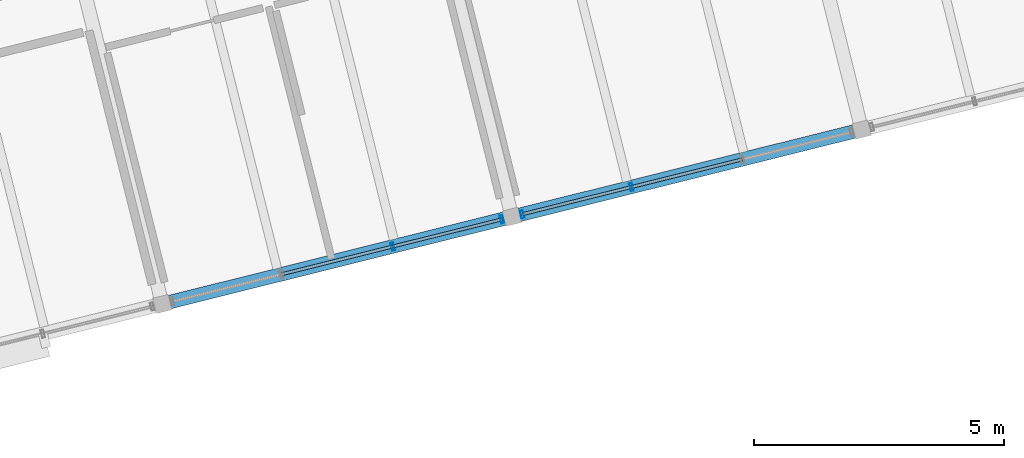
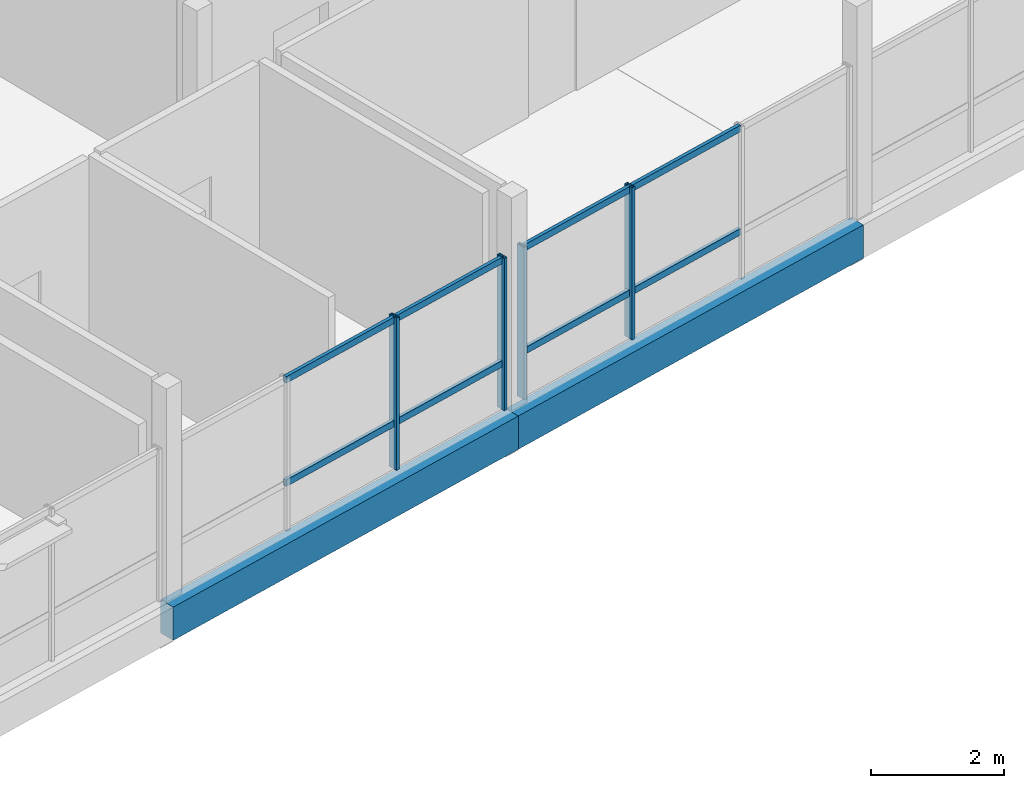
# One storey, part 7 of 25: 12 members, 2 beams, 2 elements without a shape of their own.
"""IFC4 building model written with IfcOpenShell, lengths in metres."""

from ifc_helpers import new_model, si_unit, direction, frame, origin, origin_2d, place, context, subcontext, project, spatial, rectangle, hollow_rectangle, extrude, material, layer, layer_set, material_profile, profile_set, type_object, element, aggregate, save


model = new_model("IFC4")

# Units and contexts
model_context = context("Model", 3, precision=1e-05, world=origin(), true_north=direction((0.0, 1.0)))
body_context = subcontext(model_context, "Body", "Model", "MODEL_VIEW")
ifc_project = project(units=[si_unit("LENGTHUNIT", "METRE"), si_unit("AREAUNIT", "SQUARE_METRE"), si_unit("VOLUMEUNIT", "CUBIC_METRE"), si_unit("PLANEANGLEUNIT", "RADIAN"), si_unit("MASSUNIT", "GRAM", prefix="KILO")], contexts=[model_context])

# Site, building, storey
site_placement = place(None, origin())
site = spatial("IfcSite", under=ifc_project, at=site_placement, CompositionType="ELEMENT")
building_placement = place(site_placement, origin())
building = spatial("IfcBuilding", under=site, at=building_placement, Name="Meriwether Solvik Hall", CompositionType="ELEMENT")
storey_placement = place(building_placement, frame((0.0, 0.0, 49.5)))
storey = spatial("IfcBuildingStorey", under=building, at=storey_placement, Name="L12", CompositionType="ELEMENT", Elevation=49.5)

# Beams
ifc_material_1 = material(Name="Glulam Douglas-Fir 24F-V8 GL28h", Category="wood")
ifc_material_profile_1 = material_profile(ifc_material_1, rectangle(XDim=0.27294921875, YDim=0.610107421875, at=origin_2d()), Name="GLB-273X610")
ifc_profile_set_1 = profile_set([ifc_material_profile_1], Name="Glulam Douglas-Fir 24F-V8 GL28h")
beam_type = type_object("IfcBeamType", Name="BM-GL-273X610", PredefinedType="SPANDREL", material=ifc_profile_set_1)
for number, where, z_axis, x_axis, name in (
    (1, (82.96044921875, 44.780517578125, -0.485107421875), (0.970299871507, 0.241905269381, 0.0), (-0.241905269381, 0.970299871507, 0.0), "Tower Girder TA:T3-T4 (L12)"),
    (2, (89.946533203125, 46.522216796875, -0.485107421875), (0.970291911955, 0.241937193493, 0.0), (-0.241937193493, 0.970291911955, 0.0), "Tower Girder TA:T4-T5 (L12)"),
):
    element("IfcBeam", number, at=place(storey_placement, frame(where, z_axis=z_axis, x_axis=x_axis)), inside=storey, type_object=beam_type, Name=name, PredefinedType="SPANDREL", context=body_context, shape_type="SweptSolid", body=[
        extrude(rectangle(XDim=0.27294921875, YDim=0.610107421875, at=origin_2d()), origin(), (0.0, 0.0, 1.0), 7.199951171875),
    ])

# Curtain wall, members
ifc_material_2 = material(Name="Thermally Broken Anodised Aluminium 6063-T6 and Low-E Glass", Category="aluminium")
ifc_layer_1 = layer(ifc_material_2, 0.179931640625)
ifc_layer_set_1 = layer_set([ifc_layer_1], Name="Thermally Broken Anodised Aluminium 6063-T6 and Low-E Glass")
curtain_wall_type_1 = type_object("IfcCurtainWallType", Name="CW-UNIT-E", PredefinedType="USERDEFINED", material=ifc_layer_set_1)
curtain_wall_1_placement = place(storey_placement, origin())
curtain_wall_1 = element("IfcCurtainWall", 3, at=curtain_wall_1_placement, inside=storey, type_object=curtain_wall_type_1, Name="Curtain Wall E0_B2 (L12)", ObjectType="UNITISED CURTAIN WALL", PredefinedType="USERDEFINED")
ifc_material_3 = material(Name="Anodised Aluminium 6063-T6", Category="aluminium")
ifc_material_profile_2 = material_profile(ifc_material_3, hollow_rectangle(XDim=0.06005859375, YDim=0.159912109375, WallThickness=0.00390625, at=origin_2d()), Name="CWM-60X160")
ifc_profile_set_2 = profile_set([ifc_material_profile_2], Name="Anodised Aluminium 6063-T6")
member_type_1 = type_object("IfcMemberType", Name="CW-MUL-60X160", PredefinedType="MULLION", material=ifc_profile_set_2)
member_1_placement = place(storey_placement, frame((89.7451171875, 46.47216796875, 0.0), z_axis=(0.0, 0.0, 1.0), x_axis=(-0.970295730764, -0.241921877598, 0.0)))
member_1 = element("IfcMember", 4, at=member_1_placement, type_object=member_type_1, Name="Curtain Wall Mullion 1", PredefinedType="MULLION", context=body_context, shape_type="SweptSolid", body=[
    extrude(hollow_rectangle(XDim=0.06005859375, YDim=0.159912109375, WallThickness=0.00390625, at=origin_2d()), origin(), (0.0, 0.0, 1.0), 2.7900390625),
])
member_2_placement = place(storey_placement, frame((87.56298828125, 45.927978515625, 0.0), z_axis=(0.0, 0.0, 1.0), x_axis=(-0.970295730764, -0.241921877598, 0.0)))
member_2 = element("IfcMember", 5, at=member_2_placement, type_object=member_type_1, Name="Curtain Wall Mullion 2", PredefinedType="MULLION", context=body_context, shape_type="SweptSolid", body=[
    extrude(hollow_rectangle(XDim=0.06005859375, YDim=0.159912109375, WallThickness=0.00390625, at=origin_2d()), origin(), (0.0, 0.0, 1.0), 2.7900390625),
])

ifc_material_4 = material(Name="Thermally Broken Anodised Aluminium 6063-T6 and Low-E Glass", Category="aluminium")
ifc_layer_2 = layer(ifc_material_4, 0.179931640625)
ifc_layer_set_2 = layer_set([ifc_layer_2], Name="Thermally Broken Anodised Aluminium 6063-T6 and Low-E Glass")
curtain_wall_type_2 = type_object("IfcCurtainWallType", Name="CW-UNIT-F", PredefinedType="USERDEFINED", material=ifc_layer_set_2)
curtain_wall_2_placement = place(storey_placement, origin())
curtain_wall_2 = element("IfcCurtainWall", 6, at=curtain_wall_2_placement, inside=storey, type_object=curtain_wall_type_2, Name="Curtain Wall E0_B3 (L12)", ObjectType="UNITISED CURTAIN WALL", PredefinedType="USERDEFINED")
member_3_placement = place(storey_placement, frame((92.330078125, 47.116455078125, 0.0), z_axis=(0.0, 0.0, 1.0), x_axis=(-0.970295696551, -0.241922014821, 0.0)))
member_3 = element("IfcMember", 7, at=member_3_placement, type_object=member_type_1, Name="Curtain Wall Mullion 3", PredefinedType="MULLION", context=body_context, shape_type="SweptSolid", body=[
    extrude(hollow_rectangle(XDim=0.06005859375, YDim=0.159912109375, WallThickness=0.00390625, at=origin_2d()), origin(), (0.0, 0.0, 1.0), 2.7900390625),
])
member_4_placement = place(storey_placement, frame((90.14794921875, 46.572509765625, 0.0), z_axis=(0.0, 0.0, 1.0), x_axis=(-0.970295696551, -0.241922014821, 0.0)))
member_4 = element("IfcMember", 8, at=member_4_placement, type_object=member_type_1, Name="Curtain Wall Mullion 4", PredefinedType="MULLION", context=body_context, shape_type="SweptSolid", body=[
    extrude(hollow_rectangle(XDim=0.06005859375, YDim=0.159912109375, WallThickness=0.00390625, at=origin_2d()), origin(), (0.0, 0.0, 1.0), 2.7900390625),
])

# Member
ifc_material_5 = material(Name="Anodised Aluminium 6063-T6", Category="aluminium")
ifc_material_profile_3 = material_profile(ifc_material_5, hollow_rectangle(XDim=0.06005859375, YDim=0.1201171875, WallThickness=0.00390625, at=origin_2d()), Name="CWT-60X120")
ifc_profile_set_3 = profile_set([ifc_material_profile_3], Name="Anodised Aluminium 6063-T6")
member_type_2 = type_object("IfcMemberType", Name="CW-TRN-60X120", PredefinedType="USERDEFINED", material=ifc_profile_set_3)
member_5_placement = place(storey_placement, frame((89.7451171875, 46.47216796875, 0.8369140625), z_axis=(-0.970282822978, -0.241973642025, 0.0), x_axis=(0.241973642025, -0.970282822978, 0.0)))
member_5 = element("IfcMember", 9, at=member_5_placement, type_object=member_type_2, Name="Curtain Wall Transom 1-sill", ObjectType="TRANSOM", PredefinedType="USERDEFINED", context=body_context, shape_type="SweptSolid", body=[
    extrude(hollow_rectangle(XDim=0.06005859375, YDim=0.1201171875, WallThickness=0.00390625, at=origin_2d()), origin(), (0.0, 0.0, 1.0), 2.2490234375),
])

member_6_placement = place(storey_placement, frame((89.7451171875, 46.47216796875, 2.72998046875), z_axis=(-0.970282822978, -0.241973642025, 0.0), x_axis=(0.241973642025, -0.970282822978, 0.0)))
member_6 = element("IfcMember", 10, at=member_6_placement, type_object=member_type_2, Name="Curtain Wall Transom 1-head", ObjectType="TRANSOM", PredefinedType="USERDEFINED", context=body_context, shape_type="SweptSolid", body=[
    extrude(hollow_rectangle(XDim=0.06005859375, YDim=0.1201171875, WallThickness=0.00390625, at=origin_2d()), origin(), (0.0, 0.0, 1.0), 2.2490234375),
])

member_7_placement = place(storey_placement, frame((87.56298828125, 45.927978515625, 0.8369140625), z_axis=(-0.97029929005, -0.241907601634, 0.0), x_axis=(0.241907601634, -0.97029929005, 0.0)))
member_7 = element("IfcMember", 11, at=member_7_placement, type_object=member_type_2, Name="Curtain Wall Transom 2-sill", ObjectType="TRANSOM", PredefinedType="USERDEFINED", context=body_context, shape_type="SweptSolid", body=[
    extrude(hollow_rectangle(XDim=0.06005859375, YDim=0.1201171875, WallThickness=0.00390625, at=origin_2d()), origin(), (0.0, 0.0, 1.0), 2.286865234375),
])

member_8_placement = place(storey_placement, frame((87.56298828125, 45.927978515625, 2.72998046875), z_axis=(-0.97029929005, -0.241907601634, 0.0), x_axis=(0.241907601634, -0.97029929005, 0.0)))
member_8 = element("IfcMember", 12, at=member_8_placement, type_object=member_type_2, Name="Curtain Wall Transom 2-head", ObjectType="TRANSOM", PredefinedType="USERDEFINED", context=body_context, shape_type="SweptSolid", body=[
    extrude(hollow_rectangle(XDim=0.06005859375, YDim=0.1201171875, WallThickness=0.00390625, at=origin_2d()), origin(), (0.0, 0.0, 1.0), 2.286865234375),
])

aggregate(curtain_wall_1, [member_1, member_2, member_5, member_6, member_7, member_8])

member_9_placement = place(storey_placement, frame((94.549072265625, 47.669921875, 0.8369140625), z_axis=(-0.970274227582, -0.242008105834, 0.0), x_axis=(0.242008105834, -0.970274227582, 0.0)))
member_9 = element("IfcMember", 13, at=member_9_placement, type_object=member_type_2, Name="Curtain Wall Transom 2-sill", ObjectType="TRANSOM", PredefinedType="USERDEFINED", context=body_context, shape_type="SweptSolid", body=[
    extrude(hollow_rectangle(XDim=0.06005859375, YDim=0.1201171875, WallThickness=0.00390625, at=origin_2d()), origin(), (0.0, 0.0, 1.0), 2.286865234375),
])

member_10_placement = place(storey_placement, frame((94.549072265625, 47.669921875, 2.72998046875), z_axis=(-0.970274227582, -0.242008105834, 0.0), x_axis=(0.242008105834, -0.970274227582, 0.0)))
member_10 = element("IfcMember", 14, at=member_10_placement, type_object=member_type_2, Name="Curtain Wall Transom 2-head", ObjectType="TRANSOM", PredefinedType="USERDEFINED", context=body_context, shape_type="SweptSolid", body=[
    extrude(hollow_rectangle(XDim=0.06005859375, YDim=0.1201171875, WallThickness=0.00390625, at=origin_2d()), origin(), (0.0, 0.0, 1.0), 2.286865234375),
])

member_11_placement = place(storey_placement, frame((92.330078125, 47.116455078125, 0.8369140625), z_axis=(-0.970308305597, -0.241871437108, 0.0), x_axis=(0.241871437108, -0.970308305597, 0.0)))
member_11 = element("IfcMember", 15, at=member_11_placement, type_object=member_type_2, Name="Curtain Wall Transom 3-sill", ObjectType="TRANSOM", PredefinedType="USERDEFINED", context=body_context, shape_type="SweptSolid", body=[
    extrude(hollow_rectangle(XDim=0.06005859375, YDim=0.1201171875, WallThickness=0.00390625, at=origin_2d()), origin(), (0.0, 0.0, 1.0), 2.2490234375),
])

member_12_placement = place(storey_placement, frame((92.330078125, 47.116455078125, 2.72998046875), z_axis=(-0.970308305597, -0.241871437108, 0.0), x_axis=(0.241871437108, -0.970308305597, 0.0)))
member_12 = element("IfcMember", 16, at=member_12_placement, type_object=member_type_2, Name="Curtain Wall Transom 3-head", ObjectType="TRANSOM", PredefinedType="USERDEFINED", context=body_context, shape_type="SweptSolid", body=[
    extrude(hollow_rectangle(XDim=0.06005859375, YDim=0.1201171875, WallThickness=0.00390625, at=origin_2d()), origin(), (0.0, 0.0, 1.0), 2.2490234375),
])

aggregate(curtain_wall_2, [member_3, member_4, member_9, member_10, member_11, member_12])

save(model, "model.ifc")
